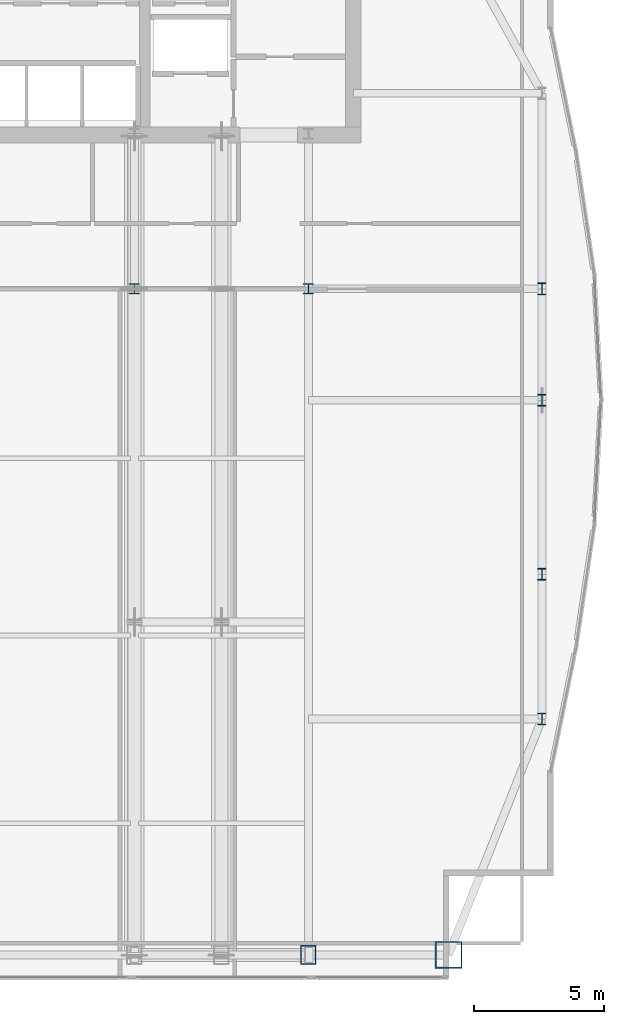
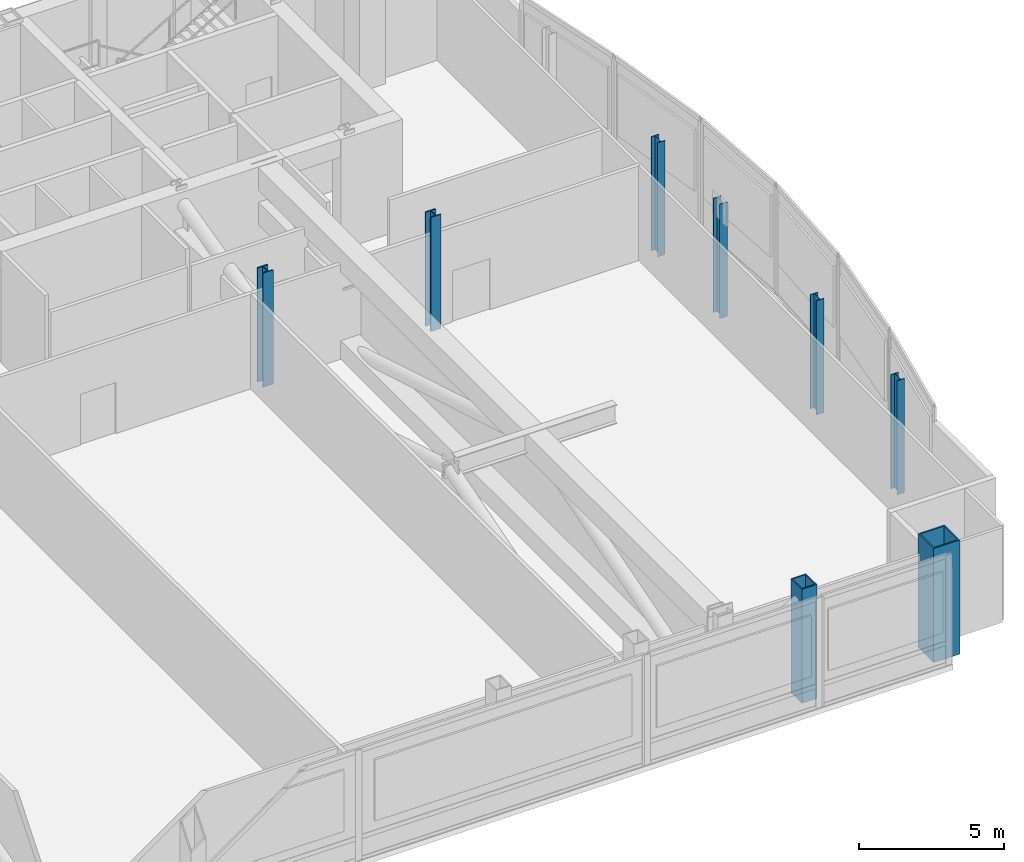
# One storey, part 2 of 32: 8 columns.
"""IFC4 building model written with IfcOpenShell, lengths in metres."""

from ifc_helpers import new_model, si_unit, direction, frame, origin, origin_2d, place, context, subcontext, project, spatial, hollow_rectangle, i_section, extrude, material, material_profile, profile_set, type_object, element, save


model = new_model("IFC4")

# Units and contexts
model_context = context("Model", 3, precision=1e-05, world=origin(), true_north=direction((0.0, 1.0)))
body_context = subcontext(model_context, "Body", "Model", "MODEL_VIEW")
ifc_project = project(units=[si_unit("LENGTHUNIT", "METRE"), si_unit("AREAUNIT", "SQUARE_METRE"), si_unit("VOLUMEUNIT", "CUBIC_METRE"), si_unit("PLANEANGLEUNIT", "RADIAN"), si_unit("MASSUNIT", "GRAM", prefix="KILO")], contexts=[model_context])

# Site, building, storey
site_placement = place(None, origin())
site = spatial("IfcSite", under=ifc_project, at=site_placement, CompositionType="ELEMENT")
building_placement = place(site_placement, origin())
building = spatial("IfcBuilding", under=site, at=building_placement, Name="Khoronbel Lancet Exchange", CompositionType="ELEMENT")
storey_placement = place(building_placement, frame((0.0, 0.0, 257.0)))
storey = spatial("IfcBuildingStorey", under=building, at=storey_placement, Name="L66", CompositionType="ELEMENT", Elevation=257.0)

# Columns
ifc_material_1 = material(Name="Steel S460", Category="steel")
ifc_material_profile_1 = material_profile(ifc_material_1, hollow_rectangle(XDim=0.60009765625, YDim=0.75, WallThickness=0.044921875, at=origin_2d()), Name="BOX 750x600x45")
ifc_profile_set_1 = profile_set([ifc_material_profile_1], Name="Steel S460")
column_type_1 = type_object("IfcColumnType", Name="COL-EC3", PredefinedType="COLUMN", material=ifc_profile_set_1)
column_1_placement = place(storey_placement, frame((54.675048828125, 10.14990234375, 0.0), z_axis=(0.0, 0.0, 1.0), x_axis=(1.0, 0.0, 0.0)))
element("IfcColumn", 1, at=column_1_placement, inside=storey, type_object=column_type_1, Name="Structural column SC-E2 L66", PredefinedType="COLUMN", context=body_context, shape_type="SweptSolid", body=[
    extrude(hollow_rectangle(XDim=0.60009765625, YDim=0.75, WallThickness=0.044921875, at=origin_2d()), origin(), (0.0, 0.0, 1.0), 4.800048828125),
])
ifc_material_2 = material(Name="Steel S355", Category="steel")
ifc_material_profile_2 = material_profile(ifc_material_2, i_section(OverallWidth=0.406005859375, OverallDepth=0.416015625, WebThickness=0.02978515625, FlangeThickness=0.048095703125, at=origin_2d()), Name="HD 400x382")
ifc_profile_set_2 = profile_set([ifc_material_profile_2], Name="Steel S355")
column_type_2 = type_object("IfcColumnType", Name="COL-IC3", PredefinedType="COLUMN", material=ifc_profile_set_2)
for number, where, z_axis, x_axis, name in (
    (2, (48.0, 35.699951171875, 0.0), (0.0, 0.0, 1.0), (1.0, 0.0, 0.0), "Spine gravity column TC3 L66"),
    (3, (54.675048828125, 35.699951171875, 0.0), (0.0, 0.0, 1.0), (1.0, 0.0, 0.0), "Spine gravity column TC4 L66"),
):
    element("IfcColumn", number, at=place(storey_placement, frame(where, z_axis=z_axis, x_axis=x_axis)), inside=storey, type_object=column_type_2, Name=name, PredefinedType="COLUMN", context=body_context, shape_type="SweptSolid", body=[
        extrude(i_section(OverallWidth=0.406005859375, OverallDepth=0.416015625, WebThickness=0.02978515625, FlangeThickness=0.048095703125, at=origin_2d()), origin(), (0.0, 0.0, 1.0), 4.800048828125),
    ])
ifc_material_profile_3 = material_profile(ifc_material_2, i_section(OverallWidth=0.300048828125, OverallDepth=0.449951171875, WebThickness=0.013916015625, FlangeThickness=0.02587890625, at=origin_2d()), Name="HEB 450")
ifc_profile_set_3 = profile_set([ifc_material_profile_3], Name="Steel S355")
column_type_3 = type_object("IfcColumnType", Name="COL-LC2", PredefinedType="COLUMN", material=ifc_profile_set_3)
for number, where, z_axis, x_axis, name in (
    (4, (63.6298828125, 19.199951171875, 0.0), (0.0, 0.0, 1.0), (1.0, 0.0, 0.0), "Structural column EC-1 L66"),
    (5, (63.6298828125, 24.75, 0.0), (0.0, 0.0, 1.0), (1.0, 0.0, 0.0), "Structural column EC-2 L66"),
    (6, (63.6298828125, 31.425048828125, 0.0), (0.0, 0.0, 1.0), (1.0, 0.0, 0.0), "Structural column EC-M L66"),
    (7, (63.6298828125, 35.699951171875, 0.0), (0.0, 0.0, 1.0), (1.0, 0.0, 0.0), "Structural column EC-3 L66"),
):
    element("IfcColumn", number, at=place(storey_placement, frame(where, z_axis=z_axis, x_axis=x_axis)), inside=storey, type_object=column_type_3, Name=name, PredefinedType="COLUMN", context=body_context, shape_type="SweptSolid", body=[
        extrude(i_section(OverallWidth=0.300048828125, OverallDepth=0.449951171875, WebThickness=0.013916015625, FlangeThickness=0.02587890625, at=origin_2d()), origin(), (0.0, 0.0, 1.0), 4.800048828125),
    ])
ifc_material_profile_4 = material_profile(ifc_material_1, hollow_rectangle(XDim=1.050048828125, YDim=1.050048828125, WallThickness=0.054931640625, at=origin_2d()), Name="BOX 1050x1050x55")
ifc_profile_set_4 = profile_set([ifc_material_profile_4], Name="Steel S460")
column_type_4 = type_object("IfcColumnType", Name="COL-MC6", PredefinedType="COLUMN", material=ifc_profile_set_4)
column_2_placement = place(storey_placement, frame((60.050048828125, 10.14990234375, 0.0), z_axis=(0.0, 0.0, 1.0), x_axis=(1.0, 0.0, 0.0)))
element("IfcColumn", 8, at=column_2_placement, inside=storey, type_object=column_type_4, Name="Structural column MC-SE L66", PredefinedType="COLUMN", context=body_context, shape_type="SweptSolid", body=[
    extrude(hollow_rectangle(XDim=1.050048828125, YDim=1.050048828125, WallThickness=0.054931640625, at=origin_2d()), origin(), (0.0, 0.0, 1.0), 4.800048828125),
])

save(model, "model.ifc")
